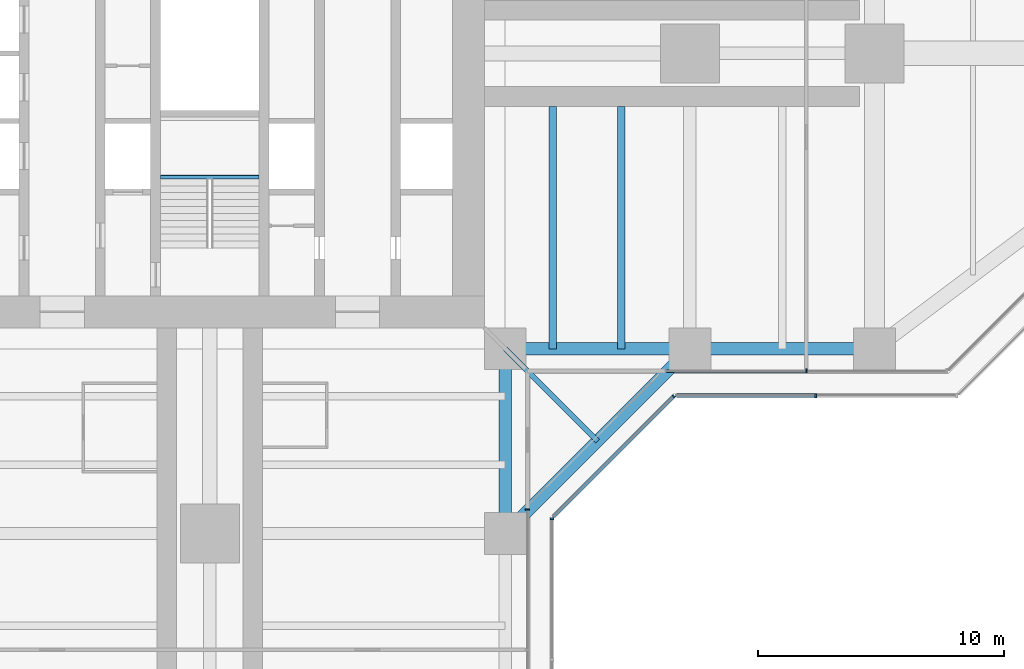
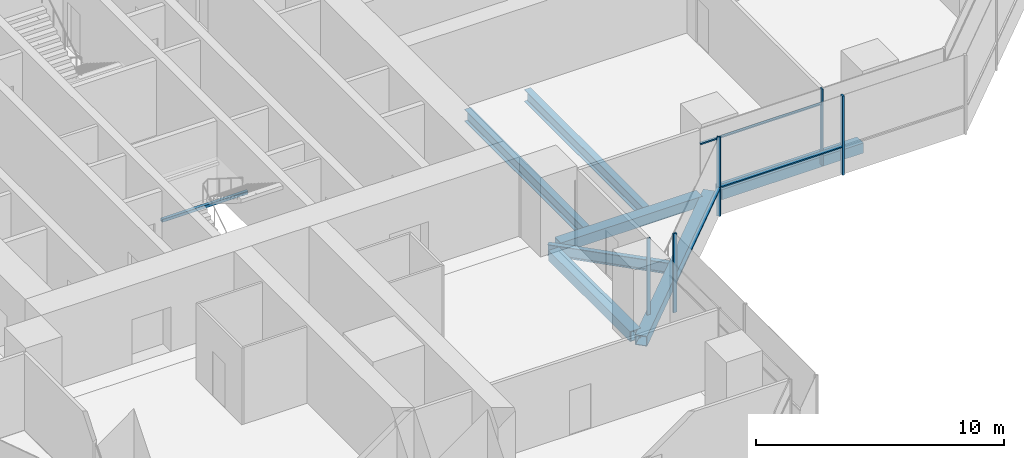
# One storey, part 6 of 22: 8 beams, 8 members, 5 elements without a shape of their own.
"""IFC4 building model written with IfcOpenShell, lengths in metres."""

from ifc_helpers import new_model, si_unit, direction, frame, origin, origin_2d, place, context, subcontext, project, spatial, rectangle, hollow_rectangle, i_section, extrude, material, material_profile, profile_set, type_object, element, aggregate, save


model = new_model("IFC4")

# Units and contexts
model_context = context("Model", 3, precision=1e-05, world=origin(), true_north=direction((0.0, 1.0)))
body_context = subcontext(model_context, "Body", "Model", "MODEL_VIEW")
ifc_project = project(units=[si_unit("LENGTHUNIT", "METRE"), si_unit("AREAUNIT", "SQUARE_METRE"), si_unit("VOLUMEUNIT", "CUBIC_METRE"), si_unit("PLANEANGLEUNIT", "RADIAN"), si_unit("MASSUNIT", "GRAM", prefix="KILO")], contexts=[model_context])

# Site, building, storey
site_placement = place(None, origin())
site = spatial("IfcSite", under=ifc_project, at=site_placement, CompositionType="ELEMENT")
building_placement = place(site_placement, origin())
building = spatial("IfcBuilding", under=site, at=building_placement, Name="Mizan Broadcast Tower", CompositionType="ELEMENT")
storey_placement = place(building_placement, frame((0.0, 0.0, 94.199951171875)))
storey = spatial("IfcBuildingStorey", under=building, at=storey_placement, Name="L20", CompositionType="ELEMENT", Elevation=94.199951171875)

# Beams
ifc_material_1 = material(Name="Steel S355", Category="steel")
ifc_material_profile_1 = material_profile(ifc_material_1, hollow_rectangle(XDim=0.5, YDim=0.5, WallThickness=0.030029296875, at=origin_2d()), Name="BOX 500x500x30")
ifc_profile_set_1 = profile_set([ifc_material_profile_1], Name="Steel S355")
beam_type_1 = type_object("IfcBeamType", Name="EDGE BEAM BOX 500x500x30", PredefinedType="SPANDREL", material=ifc_profile_set_1)
for number, where, z_axis, x_axis, name in (
    (1, (12.449951171875, -12.0, -0.3798828125), (1.0, 0.0, 0.0), (0.0, 1.0, 0.0), "Edge beam BOX 500x500x30 L20 east arm"),
    (2, (19.949951171875, -12.0, -0.3798828125), (1.0, 0.0, 0.0), (0.0, 1.0, 0.0), "Edge beam BOX 500x500x30 L20 east arm"),
    (3, (12.0, -12.449951171875, -0.3798828125), (0.0, -1.0, 0.0), (1.0, 0.0, 0.0), "Edge beam BOX 500x500x30 L20 south arm"),
):
    element("IfcBeam", number, at=place(storey_placement, frame(where, z_axis=z_axis, x_axis=x_axis)), inside=storey, type_object=beam_type_1, Name=name, PredefinedType="SPANDREL", context=body_context, shape_type="SweptSolid", body=[
        extrude(hollow_rectangle(XDim=0.5, YDim=0.5, WallThickness=0.030029296875, at=origin_2d()), origin(), (0.0, 0.0, 1.0), 6.60009765625),
    ])
beam_1_placement = place(storey_placement, frame((12.0, -19.5, -0.3798828125), z_axis=(0.707106781187, 0.707106781187, 0.0), x_axis=(-0.707106781187, 0.707106781187, 0.0)))
element("IfcBeam", 4, at=beam_1_placement, inside=storey, type_object=beam_type_1, Name="Winter garden edge beam L20 S", PredefinedType="SPANDREL", context=body_context, shape_type="SweptSolid", body=[
    extrude(hollow_rectangle(XDim=0.5, YDim=0.5, WallThickness=0.030029296875, at=origin_2d()), origin(), (0.0, 0.0, 1.0), 10.606689453125),
])

# Curtain wall, member
ifc_material_2 = material(Name="Aluminium framed glazing", Category="aluminium")
curtain_wall_type_1 = type_object("IfcCurtainWallType", Name="INNER SKIN LOW ZONE", PredefinedType="USERDEFINED", material=ifc_material_2)
curtain_wall_1_placement = place(storey_placement, origin())
curtain_wall_1 = element("IfcCurtainWall", 5, at=curtain_wall_1_placement, inside=storey, type_object=curtain_wall_type_1, Name="Inner skin low zone L20 E side", ObjectType="INNER SKIN LOW ZONE", PredefinedType="USERDEFINED")
ifc_material_3 = material(Name="Aluminium, pale anodised", Category="aluminium")
ifc_material_profile_2 = material_profile(ifc_material_3, rectangle(XDim=0.159912109375, YDim=0.06005859375, at=origin_2d()), Name="MULLION 160x60")
ifc_profile_set_2 = profile_set([ifc_material_profile_2], Name="Aluminium, pale anodised")
member_type_1 = type_object("IfcMemberType", Name="INNER SKIN MULLION 60x160", PredefinedType="MULLION", material=ifc_profile_set_2)
member_1_placement = place(storey_placement, frame((24.229248046875, -12.89990234375, 0.0), z_axis=(0.0, 0.0, 1.0), x_axis=(0.0, 1.0, 0.0)))
member_1 = element("IfcMember", 6, at=member_1_placement, type_object=member_type_1, Name="Inner skin low zone L20 E side mullion 2", PredefinedType="MULLION", context=body_context, shape_type="SweptSolid", body=[
    extrude(rectangle(XDim=0.159912109375, YDim=0.06005859375, at=origin_2d()), origin(), (0.0, 0.0, 1.0), 3.77001953125),
])

curtain_wall_2_placement = place(storey_placement, origin())
curtain_wall_2 = element("IfcCurtainWall", 7, at=curtain_wall_2_placement, inside=storey, type_object=curtain_wall_type_1, Name="Inner skin low zone L20 S side", ObjectType="INNER SKIN LOW ZONE", PredefinedType="USERDEFINED")
member_2_placement = place(storey_placement, frame((12.89990234375, -18.530029296875, 0.0), z_axis=(0.0, 0.0, 1.0), x_axis=(-1.0, 0.0, 0.0)))
member_2 = element("IfcMember", 8, at=member_2_placement, type_object=member_type_1, Name="Inner skin low zone L20 S side mullion 3", PredefinedType="MULLION", context=body_context, shape_type="SweptSolid", body=[
    extrude(rectangle(XDim=0.159912109375, YDim=0.06005859375, at=origin_2d()), origin(), (0.0, 0.0, 1.0), 3.77001953125),
])
aggregate(curtain_wall_2, [member_2])

# Member
ifc_material_4 = material(Name="Aluminium, pale anodised", Category="aluminium")
ifc_material_profile_3 = material_profile(ifc_material_4, rectangle(XDim=0.1201171875, YDim=0.06005859375, at=origin_2d()), Name="TRANSOM 120x60")
ifc_profile_set_3 = profile_set([ifc_material_profile_3], Name="Aluminium, pale anodised")
member_type_2 = type_object("IfcMemberType", Name="INNER SKIN TRANSOM 60x120", PredefinedType="USERDEFINED", material=ifc_profile_set_3)
member_3_placement = place(storey_placement, frame((18.56005859375, -12.89990234375, 3.030029296875), z_axis=(1.0, 0.0, 0.0), x_axis=(0.0, 1.0, 0.0)))
member_3 = element("IfcMember", 9, at=member_3_placement, type_object=member_type_2, Name="Inner skin low zone L20 E side transom 1.1", ObjectType="TRANSOM", PredefinedType="USERDEFINED", context=body_context, shape_type="SweptSolid", body=[
    extrude(rectangle(XDim=0.1201171875, YDim=0.06005859375, at=origin_2d()), origin(), (0.0, 0.0, 1.0), 5.63916015625),
])

aggregate(curtain_wall_1, [member_1, member_3])

# Beam
ifc_material_5 = material(Name="Steel S355", Category="steel")
ifc_material_profile_4 = material_profile(ifc_material_5, hollow_rectangle(XDim=0.14990234375, YDim=0.14990234375, WallThickness=0.008056640625, InnerFilletRadius=0.008056640625, OuterFilletRadius=0.011962890625, at=origin_2d()), Name="SHS 150x150x8")
ifc_profile_set_4 = profile_set([ifc_material_profile_4], Name="Steel S355")
beam_type_2 = type_object("IfcBeamType", Name="LANDING TRIMMER SHS 150x150x8", PredefinedType="BEAM", material=ifc_profile_set_4)
beam_2_placement = place(storey_placement, frame((-2.0, -5.02490234375, 1.675048828125), z_axis=(1.0, 0.0, 0.0), x_axis=(0.0, 1.0, 0.0)))
element("IfcBeam", 10, at=beam_2_placement, inside=storey, type_object=beam_type_2, Name="Stair A landing trimmer L20", PredefinedType="BEAM", context=body_context, shape_type="SweptSolid", body=[
    extrude(hollow_rectangle(XDim=0.14990234375, YDim=0.14990234375, WallThickness=0.008056640625, InnerFilletRadius=0.008056640625, OuterFilletRadius=0.011962890625, at=origin_2d()), origin(), (0.0, 0.0, 1.0), 4.0),
])

# Curtain wall, member
ifc_material_6 = material(Name="Aluminium framed glazing", Category="aluminium")
curtain_wall_type_2 = type_object("IfcCurtainWallType", Name="OUTER SKIN", PredefinedType="USERDEFINED", material=ifc_material_6)
curtain_wall_3_placement = place(storey_placement, origin())
curtain_wall_3 = element("IfcCurtainWall", 11, at=curtain_wall_3_placement, inside=storey, type_object=curtain_wall_type_2, Name="Outer skin L20 S side", ObjectType="OUTER SKIN", PredefinedType="USERDEFINED")
ifc_material_7 = material(Name="Aluminium, pale anodised", Category="aluminium")
ifc_material_profile_5 = material_profile(ifc_material_7, rectangle(XDim=0.159912109375, YDim=0.080078125, at=origin_2d()), Name="MULLION 160x80")
ifc_profile_set_5 = profile_set([ifc_material_profile_5], Name="Aluminium, pale anodised")
member_type_3 = type_object("IfcMemberType", Name="OUTER SKIN MULLION 80x160", PredefinedType="MULLION", material=ifc_profile_set_5)
member_4_placement = place(storey_placement, frame((13.89990234375, -18.912841796875, 0.0), z_axis=(0.0, 0.0, 1.0), x_axis=(-1.0, 0.0, 0.0)))
member_4 = element("IfcMember", 12, at=member_4_placement, type_object=member_type_3, Name="Outer skin L20 S side mullion 3", PredefinedType="MULLION", context=body_context, shape_type="SweptSolid", body=[
    extrude(rectangle(XDim=0.159912109375, YDim=0.080078125, at=origin_2d()), origin(), (0.0, 0.0, 1.0), 3.900146484375),
])
aggregate(curtain_wall_3, [member_4])

curtain_wall_4_placement = place(storey_placement, origin())
curtain_wall_4 = element("IfcCurtainWall", 13, at=curtain_wall_4_placement, inside=storey, type_object=curtain_wall_type_2, Name="Outer skin L20 E chamfer", ObjectType="OUTER SKIN", PredefinedType="USERDEFINED")
member_5_placement = place(storey_placement, frame((18.844482421875, -13.92822265625, 0.0), z_axis=(0.0, 0.0, 1.0), x_axis=(-0.707106781187, 0.707106781187, 0.0)))
member_5 = element("IfcMember", 14, at=member_5_placement, type_object=member_type_3, Name="Outer skin L20 E chamfer mullion 2", PredefinedType="MULLION", context=body_context, shape_type="SweptSolid", body=[
    extrude(rectangle(XDim=0.159912109375, YDim=0.080078125, at=origin_2d()), origin(), (0.0, 0.0, 1.0), 3.900146484375),
])

curtain_wall_5_placement = place(storey_placement, origin())
curtain_wall_5 = element("IfcCurtainWall", 15, at=curtain_wall_5_placement, inside=storey, type_object=curtain_wall_type_2, Name="Outer skin L20 E side", ObjectType="OUTER SKIN", PredefinedType="USERDEFINED")
member_6_placement = place(storey_placement, frame((24.622802734375, -13.89990234375, 0.0), z_axis=(0.0, 0.0, 1.0), x_axis=(0.0, 1.0, 0.0)))
member_6 = element("IfcMember", 16, at=member_6_placement, type_object=member_type_3, Name="Outer skin L20 E side mullion 2", PredefinedType="MULLION", context=body_context, shape_type="SweptSolid", body=[
    extrude(rectangle(XDim=0.159912109375, YDim=0.080078125, at=origin_2d()), origin(), (0.0, 0.0, 1.0), 3.900146484375),
])

# Member
ifc_material_8 = material(Name="Aluminium, pale anodised", Category="aluminium")
ifc_material_profile_6 = material_profile(ifc_material_8, rectangle(XDim=0.159912109375, YDim=0.06005859375, at=origin_2d()), Name="TRANSOM 160x60")
ifc_profile_set_6 = profile_set([ifc_material_profile_6], Name="Aluminium, pale anodised")
member_type_4 = type_object("IfcMemberType", Name="OUTER SKIN TRANSOM 60x160", PredefinedType="USERDEFINED", material=ifc_profile_set_6)
member_7_placement = place(storey_placement, frame((13.95654296875, -18.816162109375, 1.400146484375), z_axis=(0.707106781187, 0.707106781187, 0.0), x_axis=(-0.707106781187, 0.707106781187, 0.0)))
member_7 = element("IfcMember", 17, at=member_7_placement, type_object=member_type_4, Name="Outer skin L20 E chamfer transom 1.1", ObjectType="TRANSOM", PredefinedType="USERDEFINED", context=body_context, shape_type="SweptSolid", body=[
    extrude(rectangle(XDim=0.159912109375, YDim=0.06005859375, at=origin_2d()), origin(), (0.0, 0.0, 1.0), 6.87255859375),
])

aggregate(curtain_wall_4, [member_5, member_7])

member_8_placement = place(storey_placement, frame((18.952880859375, -13.89990234375, 1.400146484375), z_axis=(1.0, 0.0, 0.0), x_axis=(0.0, 1.0, 0.0)))
member_8 = element("IfcMember", 18, at=member_8_placement, type_object=member_type_4, Name="Outer skin L20 E side transom 1.1", ObjectType="TRANSOM", PredefinedType="USERDEFINED", context=body_context, shape_type="SweptSolid", body=[
    extrude(rectangle(XDim=0.159912109375, YDim=0.06005859375, at=origin_2d()), origin(), (0.0, 0.0, 1.0), 5.6298828125),
])

aggregate(curtain_wall_5, [member_6, member_8])

# Beams
ifc_material_9 = material(Name="Steel S355", Category="steel")
ifc_material_profile_7 = material_profile(ifc_material_9, i_section(OverallWidth=0.300048828125, OverallDepth=0.590087890625, WebThickness=0.012939453125, FlangeThickness=0.02490234375, FilletRadius=0.027099609375, at=origin_2d()), Name="HEA 600")
ifc_profile_set_7 = profile_set([ifc_material_profile_7], Name="Steel S355")
beam_type_3 = type_object("IfcBeamType", Name="SECONDARY BEAM HEA 600", PredefinedType="JOIST", material=ifc_profile_set_7)
for number, where, z_axis, x_axis, name in (
    (19, (13.933349609375, -12.0, -0.425048828125), (0.0, 1.0, 0.0), (-1.0, 0.0, 0.0), "Secondary beam HEA 600 L20 east arm"),
    (20, (16.716552734375, -12.0, -0.425048828125), (0.0, 1.0, 0.0), (-1.0, 0.0, 0.0), "Secondary beam HEA 600 L20 east arm"),
):
    element("IfcBeam", number, at=place(storey_placement, frame(where, z_axis=z_axis, x_axis=x_axis)), inside=storey, type_object=beam_type_3, Name=name, PredefinedType="JOIST", context=body_context, shape_type="SweptSolid", body=[
        extrude(i_section(OverallWidth=0.300048828125, OverallDepth=0.590087890625, WebThickness=0.012939453125, FlangeThickness=0.02490234375, FilletRadius=0.027099609375, at=origin_2d()), origin(), (0.0, 0.0, 1.0), 9.85009765625),
    ])
ifc_material_10 = material(Name="Steel S355", Category="steel")
ifc_material_profile_8 = material_profile(ifc_material_10, i_section(OverallWidth=0.2099609375, OverallDepth=0.550048828125, WebThickness=0.010986328125, FlangeThickness=0.01708984375, FilletRadius=0.02392578125, at=origin_2d()), Name="IPE 550")
ifc_profile_set_8 = profile_set([ifc_material_profile_8], Name="Steel S355")
beam_type_4 = type_object("IfcBeamType", Name="SECONDARY BEAM IPE 550", PredefinedType="JOIST", material=ifc_profile_set_8)
beam_3_placement = place(storey_placement, frame((12.0, -12.0, -0.405029296875), z_axis=(0.707106781187, -0.707106781187, 0.0), x_axis=(0.707106781187, 0.707106781187, 0.0)))
element("IfcBeam", 21, at=beam_3_placement, inside=storey, type_object=beam_type_4, Name="Winter garden beam L20 S", PredefinedType="JOIST", context=body_context, shape_type="SweptSolid", body=[
    extrude(i_section(OverallWidth=0.2099609375, OverallDepth=0.550048828125, WebThickness=0.010986328125, FlangeThickness=0.01708984375, FilletRadius=0.02392578125, at=origin_2d()), origin(), (0.0, 0.0, 1.0), 5.30322265625),
])

save(model, "model.ifc")
